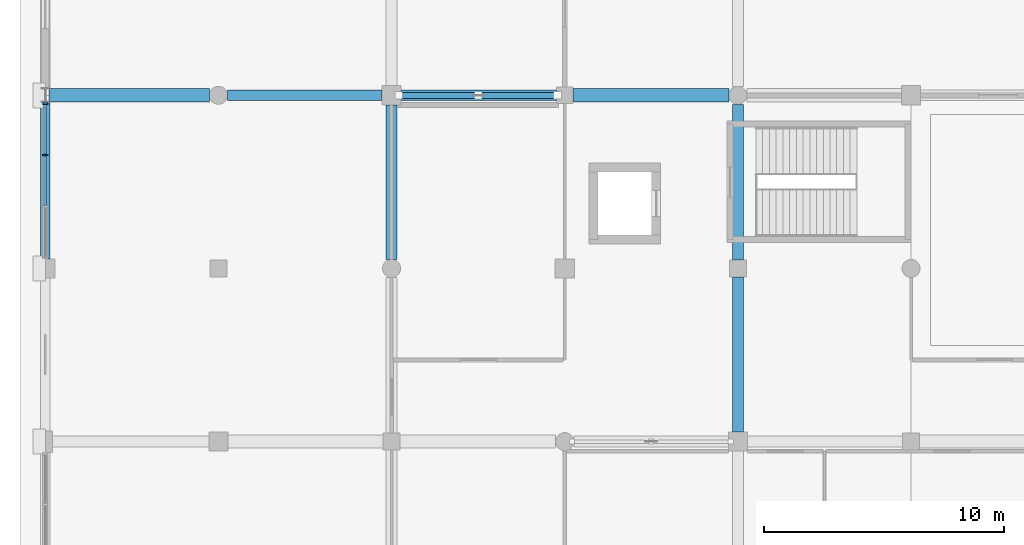
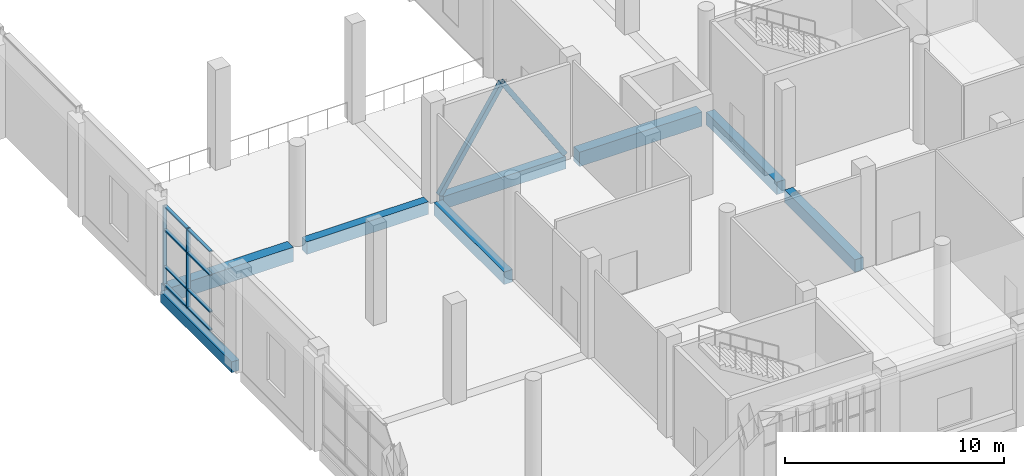
# One storey, part 10 of 80: 12 members, 8 beams, 1 element without a shape of its own.
"""IFC4 building model written with IfcOpenShell, lengths in metres."""

from ifc_helpers import new_model, si_unit, direction, frame, origin, origin_2d, place, context, subcontext, project, spatial, rectangle, hollow_rectangle, extrude, material, material_profile, profile_set, type_object, element, aggregate, save


model = new_model("IFC4")

# Units and contexts
model_context = context("Model", 3, precision=1e-05, world=origin(), true_north=direction((0.0, 1.0)))
body_context = subcontext(model_context, "Body", "Model", "MODEL_VIEW")
ifc_project = project(units=[si_unit("LENGTHUNIT", "METRE"), si_unit("AREAUNIT", "SQUARE_METRE"), si_unit("VOLUMEUNIT", "CUBIC_METRE"), si_unit("PLANEANGLEUNIT", "RADIAN"), si_unit("MASSUNIT", "GRAM", prefix="KILO")], contexts=[model_context])

# Site, building, storey
site_placement = place(None, origin())
site = spatial("IfcSite", under=ifc_project, at=site_placement, CompositionType="ELEMENT")
building_placement = place(site_placement, origin())
building = spatial("IfcBuilding", under=site, at=building_placement, Name="Sardonyx Promenade Sports Hall", CompositionType="ELEMENT")
storey_placement = place(building_placement, frame((0.0, 0.0, 5.60009765625)))
storey = spatial("IfcBuildingStorey", under=building, at=storey_placement, Name="L01", CompositionType="ELEMENT", Elevation=5.60009765625)

# Beams
ifc_material_1 = material(Name="Concrete C40/50", Category="concrete")
ifc_material_profile_1 = material_profile(ifc_material_1, rectangle(XDim=0.550048828125, YDim=0.800048828125, at=origin_2d()))
ifc_profile_set_1 = profile_set([ifc_material_profile_1], Name="Concrete C40/50")
beam_type_1 = type_object("IfcBeamType", Name="Bm_Girder_RC800", PredefinedType="BEAM", material=ifc_profile_set_1)
beam_1_placement = place(storey_placement, frame((0.14990234375, 28.800048828125, -0.400146484375), z_axis=(1.0, 0.0, 0.0), x_axis=(0.0, 1.0, 0.0)))
element("IfcBeam", 1, at=beam_1_placement, inside=storey, type_object=beam_type_1, Name="Beam BG04 L01 #208", PredefinedType="BEAM", context=body_context, shape_type="SweptSolid", body=[
    extrude(rectangle(XDim=0.550048828125, YDim=0.800048828125, at=origin_2d()), origin(), (0.0, 0.0, 1.0), 6.675048828125),
])
beam_2_placement = place(storey_placement, frame((21.949951171875, 28.800048828125, -0.400146484375), z_axis=(1.0, 0.0, 0.0), x_axis=(0.0, 1.0, 0.0)))
element("IfcBeam", 2, at=beam_2_placement, inside=storey, type_object=beam_type_1, Name="Beam BG04 L01 #211", PredefinedType="BEAM", context=body_context, shape_type="SweptSolid", body=[
    extrude(rectangle(XDim=0.550048828125, YDim=0.800048828125, at=origin_2d()), origin(), (0.0, 0.0, 1.0), 6.47509765625),
])
ifc_material_2 = material(Name="Concrete C40/50", Category="concrete")
ifc_material_profile_2 = material_profile(ifc_material_2, rectangle(XDim=0.449951171875, YDim=0.699951171875, at=origin_2d()))
ifc_profile_set_2 = profile_set([ifc_material_profile_2], Name="Concrete C40/50")
beam_type_2 = type_object("IfcBeamType", Name="Bm_Primary_RC700", PredefinedType="BEAM", material=ifc_profile_set_2)
beam_3_placement = place(storey_placement, frame((7.574951171875, 28.800048828125, -0.35009765625), z_axis=(1.0, 0.0, 0.0), x_axis=(0.0, 1.0, 0.0)))
element("IfcBeam", 3, at=beam_3_placement, inside=storey, type_object=beam_type_2, Name="Beam BG01 L01 #209", PredefinedType="BEAM", context=body_context, shape_type="SweptSolid", body=[
    extrude(rectangle(XDim=0.449951171875, YDim=0.699951171875, at=origin_2d()), origin(), (0.0, 0.0, 1.0), 6.425048828125),
])
beam_4_placement = place(storey_placement, frame((14.800048828125, 28.800048828125, -0.35009765625), z_axis=(1.0, 0.0, 0.0), x_axis=(0.0, 1.0, 0.0)))
element("IfcBeam", 4, at=beam_4_placement, inside=storey, type_object=beam_type_2, Name="Beam BG01 L01 #210", PredefinedType="BEAM", context=body_context, shape_type="SweptSolid", body=[
    extrude(rectangle(XDim=0.449951171875, YDim=0.699951171875, at=origin_2d()), origin(), (0.0, 0.0, 1.0), 6.449951171875),
])
beam_5_placement = place(storey_placement, frame((14.39990234375, 21.97509765625, -0.35009765625), z_axis=(0.0, 1.0, 0.0), x_axis=(-1.0, 0.0, 0.0)))
element("IfcBeam", 5, at=beam_5_placement, inside=storey, type_object=beam_type_2, Name="Beam BG01 L01 #301", PredefinedType="BEAM", context=body_context, shape_type="SweptSolid", body=[
    extrude(rectangle(XDim=0.449951171875, YDim=0.699951171875, at=origin_2d()), origin(), (0.0, 0.0, 1.0), 6.4248046875),
])
beam_6_placement = place(storey_placement, frame((28.800048828125, 14.800048828125, -0.35009765625), z_axis=(0.0, 1.0, 0.0), x_axis=(-1.0, 0.0, 0.0)))
element("IfcBeam", 6, at=beam_6_placement, inside=storey, type_object=beam_type_2, Name="Beam BG01 L01 #309", PredefinedType="BEAM", context=body_context, shape_type="SweptSolid", body=[
    extrude(rectangle(XDim=0.449951171875, YDim=0.699951171875, at=origin_2d()), origin(), (0.0, 0.0, 1.0), 6.449951171875),
])
beam_7_placement = place(storey_placement, frame((28.800048828125, 21.949951171875, -0.35009765625), z_axis=(0.0, 1.0, 0.0), x_axis=(-1.0, 0.0, 0.0)))
element("IfcBeam", 7, at=beam_7_placement, inside=storey, type_object=beam_type_2, Name="Beam BG01 L01 #310", PredefinedType="BEAM", context=body_context, shape_type="SweptSolid", body=[
    extrude(rectangle(XDim=0.449951171875, YDim=0.699951171875, at=origin_2d()), origin(), (0.0, 0.0, 1.0), 6.47509765625),
])
ifc_material_3 = material(Name="Concrete C40/50", Category="concrete")
ifc_material_profile_3 = material_profile(ifc_material_3, rectangle(XDim=0.39990234375, YDim=0.60009765625, at=origin_2d()))
ifc_profile_set_3 = profile_set([ifc_material_profile_3], Name="Concrete C40/50")
beam_type_3 = type_object("IfcBeamType", Name="Bm_Spandrel_RC600", PredefinedType="SPANDREL", material=ifc_profile_set_3)
beam_8_placement = place(storey_placement, frame((0.0, 22.0, -0.300048828125), z_axis=(0.0, 1.0, 0.0), x_axis=(-1.0, 0.0, 0.0)))
element("IfcBeam", 8, at=beam_8_placement, inside=storey, type_object=beam_type_3, Name="Beam SPB1 L01 #294", PredefinedType="SPANDREL", context=body_context, shape_type="SweptSolid", body=[
    extrude(rectangle(XDim=0.39990234375, YDim=0.60009765625, at=origin_2d()), origin(), (0.0, 0.0, 1.0), 6.5048828125),
])

# Curtain wall, members
ifc_material_4 = material(Name="Aluminium 6063-T6", Category="aluminium")
curtain_wall_type = type_object("IfcCurtainWallType", Name="CW_Climb_North_L01", PredefinedType="USERDEFINED", material=ifc_material_4)
curtain_wall_placement = place(storey_placement, origin())
curtain_wall = element("IfcCurtainWall", 9, at=curtain_wall_placement, inside=storey, type_object=curtain_wall_type, Name="Curtain wall CW19 cw:L01:065", ObjectType="CURTAIN WALL", PredefinedType="USERDEFINED")
ifc_material_5 = material(Name="Aluminium 6063-T6", Category="aluminium")
ifc_material_profile_4 = material_profile(ifc_material_5, rectangle(XDim=0.070068359375, YDim=0.199951171875, at=origin_2d()))
ifc_profile_set_4 = profile_set([ifc_material_profile_4], Name="Aluminium 6063-T6")
member_type_1 = type_object("IfcMemberType", Name="CW_Mull_200", PredefinedType="MULLION", material=ifc_profile_set_4)
member_1_placement = place(storey_placement, frame((0.0, 26.318359375, 0.349853515625), z_axis=(0.0, 0.0, 1.0), x_axis=(0.0, 1.0, 0.0)))
member_1 = element("IfcMember", 10, at=member_1_placement, type_object=member_type_1, Name="Mullion CM03 cw:L01:065 #3", PredefinedType="MULLION", context=body_context, shape_type="SweptSolid", body=[
    extrude(rectangle(XDim=0.070068359375, YDim=0.199951171875, at=origin_2d()), origin(), (0.0, 0.0, 1.0), 4.449951171875),
])
member_2_placement = place(storey_placement, frame((0.0, 28.449951171875, 0.349853515625), z_axis=(0.0, 0.0, 1.0), x_axis=(0.0, 1.0, 0.0)))
member_2 = element("IfcMember", 11, at=member_2_placement, type_object=member_type_1, Name="Mullion CM03 cw:L01:065 #4", PredefinedType="MULLION", context=body_context, shape_type="SweptSolid", body=[
    extrude(rectangle(XDim=0.070068359375, YDim=0.199951171875, at=origin_2d()), origin(), (0.0, 0.0, 1.0), 4.449951171875),
])
ifc_material_6 = material(Name="Aluminium 6063-T6", Category="aluminium")
ifc_material_profile_5 = material_profile(ifc_material_6, rectangle(XDim=0.070068359375, YDim=0.159912109375, at=origin_2d()))
ifc_profile_set_5 = profile_set([ifc_material_profile_5], Name="Aluminium 6063-T6")
member_type_2 = type_object("IfcMemberType", Name="CW_Tran_160", PredefinedType="USERDEFINED", material=ifc_profile_set_5)
member_3_placement = place(storey_placement, frame((0.0, 24.2216796875, 0.385009765625), z_axis=(0.0, 1.0, 0.0), x_axis=(0.0, 0.0, 1.0)))
member_3 = element("IfcMember", 12, at=member_3_placement, type_object=member_type_2, Name="Transom CT03 cw:L01:065 #5", ObjectType="TRANSOM", PredefinedType="USERDEFINED", context=body_context, shape_type="SweptSolid", body=[
    extrude(rectangle(XDim=0.070068359375, YDim=0.159912109375, at=origin_2d()), origin(), (0.0, 0.0, 1.0), 2.061767578125),
])
member_4_placement = place(storey_placement, frame((0.0, 24.2216796875, 1.39990234375), z_axis=(0.0, 1.0, 0.0), x_axis=(0.0, 0.0, 1.0)))
member_4 = element("IfcMember", 13, at=member_4_placement, type_object=member_type_2, Name="Transom CT03 cw:L01:065 #6", ObjectType="TRANSOM", PredefinedType="USERDEFINED", context=body_context, shape_type="SweptSolid", body=[
    extrude(rectangle(XDim=0.070068359375, YDim=0.159912109375, at=origin_2d()), origin(), (0.0, 0.0, 1.0), 2.061767578125),
])
member_5_placement = place(storey_placement, frame((0.0, 24.2216796875, 3.449951171875), z_axis=(0.0, 1.0, 0.0), x_axis=(0.0, 0.0, 1.0)))
member_5 = element("IfcMember", 14, at=member_5_placement, type_object=member_type_2, Name="Transom CT03 cw:L01:065 #7", ObjectType="TRANSOM", PredefinedType="USERDEFINED", context=body_context, shape_type="SweptSolid", body=[
    extrude(rectangle(XDim=0.070068359375, YDim=0.159912109375, at=origin_2d()), origin(), (0.0, 0.0, 1.0), 2.061767578125),
])
member_6_placement = place(storey_placement, frame((0.0, 24.2216796875, 4.764892578125), z_axis=(0.0, 1.0, 0.0), x_axis=(0.0, 0.0, 1.0)))
member_6 = element("IfcMember", 15, at=member_6_placement, type_object=member_type_2, Name="Transom CT03 cw:L01:065 #8", ObjectType="TRANSOM", PredefinedType="USERDEFINED", context=body_context, shape_type="SweptSolid", body=[
    extrude(rectangle(XDim=0.070068359375, YDim=0.159912109375, at=origin_2d()), origin(), (0.0, 0.0, 1.0), 2.061767578125),
])
member_7_placement = place(storey_placement, frame((0.0, 26.353271484375, 0.385009765625), z_axis=(0.0, 1.0, 0.0), x_axis=(0.0, 0.0, 1.0)))
member_7 = element("IfcMember", 16, at=member_7_placement, type_object=member_type_2, Name="Transom CT03 cw:L01:065 #9", ObjectType="TRANSOM", PredefinedType="USERDEFINED", context=body_context, shape_type="SweptSolid", body=[
    extrude(rectangle(XDim=0.070068359375, YDim=0.159912109375, at=origin_2d()), origin(), (0.0, 0.0, 1.0), 2.061767578125),
])
member_8_placement = place(storey_placement, frame((0.0, 26.353271484375, 1.39990234375), z_axis=(0.0, 1.0, 0.0), x_axis=(0.0, 0.0, 1.0)))
member_8 = element("IfcMember", 17, at=member_8_placement, type_object=member_type_2, Name="Transom CT03 cw:L01:065 #10", ObjectType="TRANSOM", PredefinedType="USERDEFINED", context=body_context, shape_type="SweptSolid", body=[
    extrude(rectangle(XDim=0.070068359375, YDim=0.159912109375, at=origin_2d()), origin(), (0.0, 0.0, 1.0), 2.061767578125),
])
member_9_placement = place(storey_placement, frame((0.0, 26.353271484375, 3.449951171875), z_axis=(0.0, 1.0, 0.0), x_axis=(0.0, 0.0, 1.0)))
member_9 = element("IfcMember", 18, at=member_9_placement, type_object=member_type_2, Name="Transom CT03 cw:L01:065 #11", ObjectType="TRANSOM", PredefinedType="USERDEFINED", context=body_context, shape_type="SweptSolid", body=[
    extrude(rectangle(XDim=0.070068359375, YDim=0.159912109375, at=origin_2d()), origin(), (0.0, 0.0, 1.0), 2.061767578125),
])
member_10_placement = place(storey_placement, frame((0.0, 26.353271484375, 4.764892578125), z_axis=(0.0, 1.0, 0.0), x_axis=(0.0, 0.0, 1.0)))
member_10 = element("IfcMember", 19, at=member_10_placement, type_object=member_type_2, Name="Transom CT03 cw:L01:065 #12", ObjectType="TRANSOM", PredefinedType="USERDEFINED", context=body_context, shape_type="SweptSolid", body=[
    extrude(rectangle(XDim=0.070068359375, YDim=0.159912109375, at=origin_2d()), origin(), (0.0, 0.0, 1.0), 2.061767578125),
])
aggregate(curtain_wall, [member_1, member_2, member_3, member_4, member_5, member_6, member_7, member_8, member_9, member_10])

# Members
ifc_material_7 = material(Name="Steel S355JR", Category="steel")
ifc_material_profile_6 = material_profile(ifc_material_7, hollow_rectangle(XDim=0.25, YDim=0.25, WallThickness=0.012451171875, at=origin_2d()))
ifc_profile_set_6 = profile_set([ifc_material_profile_6], Name="Steel S355JR")
member_type_3 = type_object("IfcMemberType", Name="Mbr_Brace_SHS250_Int", PredefinedType="BRACE", material=ifc_profile_set_6)
for number, where, z_axis, x_axis, name in (
    (20, (14.699951171875, 28.800048828125, 0.02001953125), (0.541020546305, 0.0, 0.841009374785), (0.0, 1.0, 0.0), "Chevron brace BR05 BF5 L01 leg 1"),
    (21, (21.300048828125, 28.800048828125, 0.02001953125), (-0.541020546305, 0.0, 0.841009374785), (0.0, -1.0, 0.0), "Chevron brace BR05 BF5 L01 leg 2"),
):
    element("IfcMember", number, at=place(storey_placement, frame(where, z_axis=z_axis, x_axis=x_axis)), inside=storey, type_object=member_type_3, Name=name, PredefinedType="BRACE", context=body_context, shape_type="SweptSolid", body=[
        extrude(hollow_rectangle(XDim=0.25, YDim=0.25, WallThickness=0.012451171875, at=origin_2d()), origin(), (0.0, 0.0, 1.0), 6.099609375),
    ])

save(model, "model.ifc")
